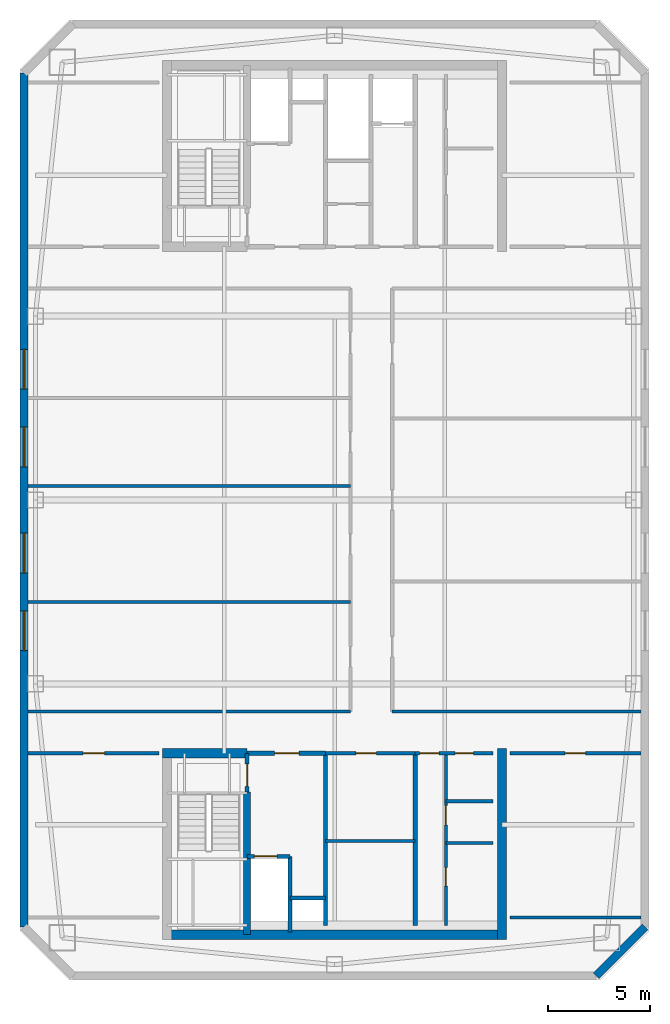
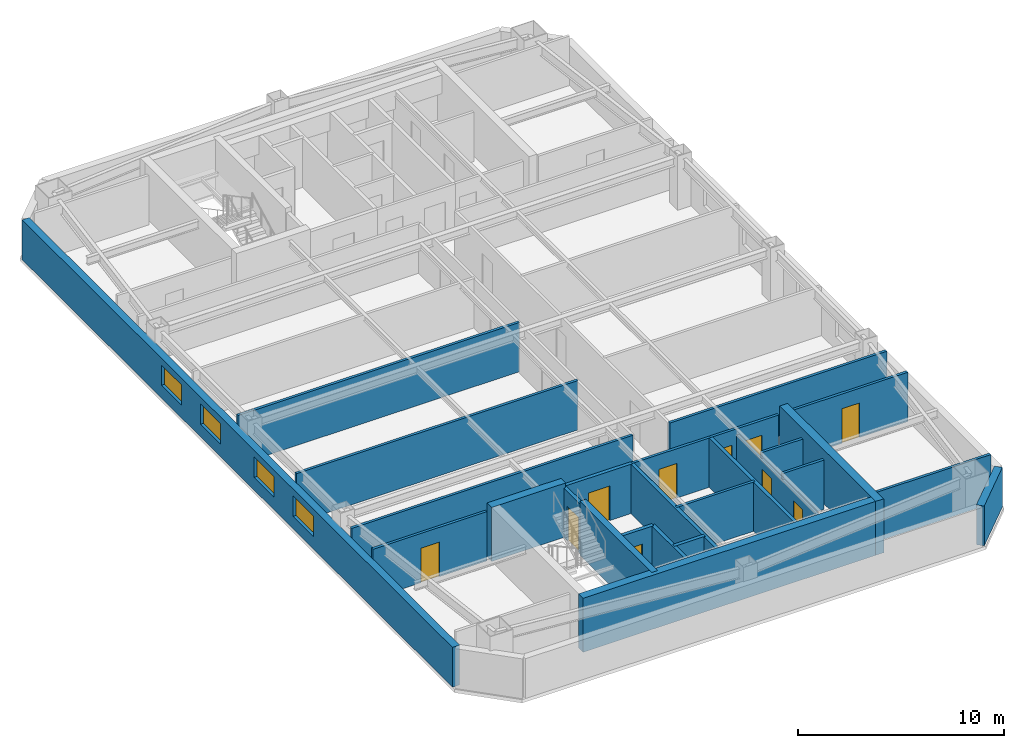
# One storey, part 2 of 5: 26 walls, 10 doors, 4 windows, 14 openings.
"""IFC4 building model written with IfcOpenShell, lengths in metres."""

from ifc_helpers import new_model, si_unit, direction, frame, frame_2d, origin, place, context, subcontext, project, spatial, rectangle, extrude, material, layer, layer_set, type_object, element, fill, save


model = new_model("IFC4")

# Units and contexts
model_context = context("Model", 3, precision=1e-05, world=origin(), true_north=direction((0.0, 1.0)))
body_context = subcontext(model_context, "Body", "Model", "MODEL_VIEW")
ifc_project = project(units=[si_unit("LENGTHUNIT", "METRE"), si_unit("AREAUNIT", "SQUARE_METRE"), si_unit("VOLUMEUNIT", "CUBIC_METRE"), si_unit("PLANEANGLEUNIT", "RADIAN"), si_unit("MASSUNIT", "GRAM", prefix="KILO")], contexts=[model_context])

# Site, building, storey
site_placement = place(None, origin())
site = spatial("IfcSite", under=ifc_project, at=site_placement, CompositionType="ELEMENT")
building_placement = place(site_placement, origin())
building = spatial("IfcBuilding", under=site, at=building_placement, Name="Qiaolan Cultural Towers", CompositionType="ELEMENT")
storey_placement = place(building_placement, frame((0.0, 0.0, 253.60009765625)))
storey = spatial("IfcBuildingStorey", under=building, at=storey_placement, Name="L69", CompositionType="ELEMENT", Elevation=253.60009765625)

# Walls
ifc_material_1 = material(Name="Concrete C50", Category="concrete")
ifc_layer_1 = layer(ifc_material_1, 0.35009765625)
ifc_layer_set_1 = layer_set([ifc_layer_1], Name="Concrete C50")
wall_type_1 = type_object("IfcWallType", Name="WL-CORE-350", PredefinedType="SHEAR", material=ifc_layer_set_1)
wall_1_placement = place(storey_placement, frame((25.719970703125, 19.699951171875, 0.0), z_axis=(0.0, 0.0, 1.0), x_axis=(0.0, -1.0, 0.0)))
element("IfcWall", 1, at=wall_1_placement, inside=storey, type_object=wall_type_1, Name="L69 T1-CS Stair Core Dividing Web", PredefinedType="SHEAR", context=body_context, shape_type="SweptSolid", body=[
    extrude(rectangle(XDim=6.97998046875, YDim=0.35009765625, at=frame_2d((3.489990234375, 0.0))), origin(), (0.0, 0.0, 1.0), 3.199951171875),
])
ifc_material_2 = material(Name="Concrete C50", Category="concrete")
ifc_layer_2 = layer(ifc_material_2, 0.449951171875)
ifc_layer_set_2 = layer_set([ifc_layer_2], Name="Concrete C50")
wall_type_2 = type_object("IfcWallType", Name="WL-CORE-450", PredefinedType="SHEAR", material=ifc_layer_set_2)
wall_2_placement = place(storey_placement, frame((21.574951171875, 12.719970703125, 0.0), z_axis=(0.0, 0.0, 1.0), x_axis=(1.0, 0.0, 0.0)))
element("IfcWall", 2, at=wall_2_placement, inside=storey, type_object=wall_type_2, Name="L69 T1-CS Outer Core Shear Wall", PredefinedType="SHEAR", context=body_context, shape_type="SweptSolid", body=[
    extrude(rectangle(XDim=16.85009765625, YDim=0.449951171875, at=frame_2d((8.425048828125, 0.0))), origin(), (0.0, 0.0, 1.0), 3.199951171875),
])
wall_3_placement = place(storey_placement, frame((38.199951171875, 21.824951171875, 0.0), z_axis=(0.0, 0.0, 1.0), x_axis=(0.0, -1.0, 0.0)))
element("IfcWall", 3, at=wall_3_placement, inside=storey, type_object=wall_type_2, Name="L69 T1-CS East Core Shear Wall", PredefinedType="SHEAR", context=body_context, shape_type="SweptSolid", body=[
    extrude(rectangle(XDim=9.329833984375, YDim=0.449951171875, at=frame_2d((4.6650390625, 0.0))), origin(), (0.0, 0.0, 1.0), 3.199951171875),
])
wall_4_placement = place(storey_placement, frame((21.574951171875, 21.60009765625, 0.0), z_axis=(0.0, 0.0, 1.0), x_axis=(1.0, 0.0, 0.0)))
element("IfcWall", 4, at=wall_4_placement, inside=storey, type_object=wall_type_2, Name="L69 T1-CS Stair Front Shear Wall", PredefinedType="SHEAR", context=body_context, shape_type="SweptSolid", body=[
    extrude(rectangle(XDim=4.14501953125, YDim=0.449951171875, at=frame_2d((2.072509765625, 0.0))), origin(), (0.0, 0.0, 1.0), 3.199951171875),
])

# Wall, openings, windows
ifc_material_3 = material(Name="Precast Concrete C50 Honed Stone Pier", Category="masonry")
ifc_layer_3 = layer(ifc_material_3, 0.39990234375)
ifc_layer_set_3 = layer_set([ifc_layer_3], Name="Precast Concrete C50 Honed Stone Pier")
wall_type_3 = type_object("IfcWallType", Name="WL-EXT-PIER-400", PredefinedType="SOLIDWALL", material=ifc_layer_set_3)
wall_5_placement = place(storey_placement, frame((14.800048828125, 13.10009765625, 0.0), z_axis=(0.0, 0.0, 1.0), x_axis=(0.0, 1.0, 0.0)))
wall_5 = element("IfcWall", 5, at=wall_5_placement, inside=storey, type_object=wall_type_3, Name="L69 West Tower Precast Pier Facade Wall F1", PredefinedType="SOLIDWALL", context=body_context, shape_type="SweptSolid", body=[
    extrude(rectangle(XDim=41.7998046875, YDim=0.39990234375, at=frame_2d((20.89990234375, 0.0))), origin(), (0.0, 0.0, 1.0), 2.35986328125),
])
opening_1_placement = place(wall_5_placement, frame((13.52490234375, 0.0, 0.75)))
opening_1 = element("IfcOpeningElement", 6, at=opening_1_placement, cuts=wall_5, Name="Opening W-06", PredefinedType="OPENING", context=body_context, shape_type="SweptSolid", body=[
    extrude(rectangle(XDim=1.949951171875, YDim=1.2099609375, at=frame_2d((0.97509765625, 0.60498046875))), frame((0.0, 0.2099609375, 0.0), z_axis=(0.0, -1.0, 0.0), x_axis=(1.0, 0.0, 0.0)), (0.0, 0.0, 1.0), 0.419921875),
])
opening_2_placement = place(wall_5_placement, frame((17.324951171875, 0.0, 0.75)))
opening_2 = element("IfcOpeningElement", 7, at=opening_2_placement, cuts=wall_5, Name="Opening W-06", PredefinedType="OPENING", context=body_context, shape_type="SweptSolid", body=[
    extrude(rectangle(XDim=1.949951171875, YDim=1.2099609375, at=frame_2d((0.97509765625, 0.60498046875))), frame((0.0, 0.2099609375, 0.0), z_axis=(0.0, -1.0, 0.0), x_axis=(1.0, 0.0, 0.0)), (0.0, 0.0, 1.0), 0.419921875),
])
opening_3_placement = place(wall_5_placement, frame((22.52490234375, 0.0, 0.75)))
opening_3 = element("IfcOpeningElement", 8, at=opening_3_placement, cuts=wall_5, Name="Opening W-06", PredefinedType="OPENING", context=body_context, shape_type="SweptSolid", body=[
    extrude(rectangle(XDim=1.949951171875, YDim=1.2099609375, at=frame_2d((0.97509765625, 0.60498046875))), frame((0.0, 0.2099609375, 0.0), z_axis=(0.0, -1.0, 0.0), x_axis=(1.0, 0.0, 0.0)), (0.0, 0.0, 1.0), 0.419921875),
])
opening_4_placement = place(wall_5_placement, frame((26.324951171875, 0.0, 0.75)))
opening_4 = element("IfcOpeningElement", 9, at=opening_4_placement, cuts=wall_5, Name="Opening W-06", PredefinedType="OPENING", context=body_context, shape_type="SweptSolid", body=[
    extrude(rectangle(XDim=1.949951171875, YDim=1.2099609375, at=frame_2d((0.97509765625, 0.60498046875))), frame((0.0, 0.2099609375, 0.0), z_axis=(0.0, -1.0, 0.0), x_axis=(1.0, 0.0, 0.0)), (0.0, 0.0, 1.0), 0.419921875),
])
ifc_material_4 = material(Name="Thermally Broken Aluminium Triple Low-E Glazing", Category="aluminium")
window_type = type_object("IfcWindowType", Name="WN-CHIC-1950", PartitioningType="SINGLE_PANEL", PredefinedType="WINDOW", material=ifc_material_4)
window_1_placement = place(opening_1_placement, origin())
window_1 = element("IfcWindow", 10, at=window_1_placement, inside=storey, type_object=window_type, Name="L69 T1 W Chicago Bay Window 1", OverallHeight=1.2099609375, OverallWidth=1.949951171875, PartitioningType="TRIPLE_PANEL_VERTICAL", PredefinedType="WINDOW", context=body_context, shape_type="SweptSolid", body=[
    extrude(rectangle(XDim=1.949951171875, YDim=1.2099609375, at=frame_2d((0.97509765625, 0.60498046875))), frame((0.0, 0.030029296875, 0.0), z_axis=(0.0, -1.0, 0.0), x_axis=(1.0, 0.0, 0.0)), (0.0, 0.0, 1.0), 0.06005859375),
])
fill(opening_1, window_1)
window_2_placement = place(opening_2_placement, origin())
window_2 = element("IfcWindow", 11, at=window_2_placement, inside=storey, type_object=window_type, Name="L69 T1 W Chicago Bay Window 2", OverallHeight=1.2099609375, OverallWidth=1.949951171875, PartitioningType="TRIPLE_PANEL_VERTICAL", PredefinedType="WINDOW", context=body_context, shape_type="SweptSolid", body=[
    extrude(rectangle(XDim=1.949951171875, YDim=1.2099609375, at=frame_2d((0.97509765625, 0.60498046875))), frame((0.0, 0.030029296875, 0.0), z_axis=(0.0, -1.0, 0.0), x_axis=(1.0, 0.0, 0.0)), (0.0, 0.0, 1.0), 0.06005859375),
])
fill(opening_2, window_2)
window_3_placement = place(opening_3_placement, origin())
window_3 = element("IfcWindow", 12, at=window_3_placement, inside=storey, type_object=window_type, Name="L69 T1 W Chicago Bay Window 3", OverallHeight=1.2099609375, OverallWidth=1.949951171875, PartitioningType="TRIPLE_PANEL_VERTICAL", PredefinedType="WINDOW", context=body_context, shape_type="SweptSolid", body=[
    extrude(rectangle(XDim=1.949951171875, YDim=1.2099609375, at=frame_2d((0.97509765625, 0.60498046875))), frame((0.0, 0.030029296875, 0.0), z_axis=(0.0, -1.0, 0.0), x_axis=(1.0, 0.0, 0.0)), (0.0, 0.0, 1.0), 0.06005859375),
])
fill(opening_3, window_3)
window_4_placement = place(opening_4_placement, origin())
window_4 = element("IfcWindow", 13, at=window_4_placement, inside=storey, type_object=window_type, Name="L69 T1 W Chicago Bay Window 4", OverallHeight=1.2099609375, OverallWidth=1.949951171875, PartitioningType="TRIPLE_PANEL_VERTICAL", PredefinedType="WINDOW", context=body_context, shape_type="SweptSolid", body=[
    extrude(rectangle(XDim=1.949951171875, YDim=1.2099609375, at=frame_2d((0.97509765625, 0.60498046875))), frame((0.0, 0.030029296875, 0.0), z_axis=(0.0, -1.0, 0.0), x_axis=(1.0, 0.0, 0.0)), (0.0, 0.0, 1.0), 0.06005859375),
])
fill(opening_4, window_4)

# Wall
wall_6_placement = place(storey_placement, frame((45.199951171875, 13.10009765625, 0.0), z_axis=(0.0, 0.0, 1.0), x_axis=(-0.707070815327, -0.707142745217, 0.0)))
element("IfcWall", 14, at=wall_6_placement, inside=storey, type_object=wall_type_3, Name="L69 West Tower Precast Pier Facade Wall F6", PredefinedType="SOLIDWALL", context=body_context, shape_type="SweptSolid", body=[
    extrude(rectangle(XDim=3.39404296875, YDim=0.39990234375, at=frame_2d((1.697021484375, 0.0))), origin(), (0.0, 0.0, 1.0), 2.35986328125),
])

# Wall, opening, door
ifc_material_5 = material(Name="Concrete C35 Fire Wall", Category="concrete")
ifc_layer_4 = layer(ifc_material_5, 0.199951171875)
ifc_layer_set_4 = layer_set([ifc_layer_4], Name="Concrete C35 Fire Wall")
wall_type_4 = type_object("IfcWallType", Name="WL-FIRE-200", PredefinedType="PARTITIONING", material=ifc_layer_set_4)
wall_7_placement = place(storey_placement, frame((25.719970703125, 21.60009765625, 0.0), z_axis=(0.0, 0.0, 1.0), x_axis=(0.0, -1.0, 0.0)))
wall_7 = element("IfcWall", 15, at=wall_7_placement, inside=storey, type_object=wall_type_4, Name="L69 T1-CS Smokeproof Stair Entry Wall", PredefinedType="PARTITIONING", context=body_context, shape_type="SweptSolid", body=[
    extrude(rectangle(XDim=1.900146484375, YDim=0.199951171875, at=frame_2d((0.9501953125, 0.0))), origin(), (0.0, 0.0, 1.0), 2.9248046875),
])
opening_5_placement = place(wall_7_placement, frame((0.52001953125, 0.0, 0.0)))
opening_5 = element("IfcOpeningElement", 16, at=opening_5_placement, cuts=wall_7, Name="Opening FD-04", PredefinedType="OPENING", context=body_context, shape_type="SweptSolid", body=[
    extrude(rectangle(XDim=1.10009765625, YDim=2.050048828125, at=frame_2d((0.550048828125, 1.02490234375))), frame((0.0, 0.10986328125, 0.0), z_axis=(0.0, -1.0, 0.0), x_axis=(1.0, 0.0, 0.0)), (0.0, 0.0, 1.0), 0.219970703125),
])
ifc_material_6 = material(Name="Galvanized Steel Command Fire Door", Category="steel")
door_type_1 = type_object("IfcDoorType", Name="DR-FD90-1100", OperationType="NOTDEFINED", PredefinedType="DOOR", material=ifc_material_6)
door_1_placement = place(opening_5_placement, origin())
door_1 = element("IfcDoor", 17, at=door_1_placement, inside=storey, type_object=door_type_1, Name="L69 ST-W1 Smokeproof Stair Fire Door", OperationType="SINGLE_SWING_LEFT", OverallHeight=2.050048828125, OverallWidth=1.10009765625, PredefinedType="DOOR", context=body_context, shape_type="SweptSolid", body=[
    extrude(rectangle(XDim=1.10009765625, YDim=2.050048828125, at=frame_2d((0.550048828125, 1.02490234375))), frame((0.0, 0.02490234375, 0.0), z_axis=(0.0, -1.0, 0.0), x_axis=(1.0, 0.0, 0.0)), (0.0, 0.0, 1.0), 0.050048828125),
])
fill(opening_5, door_1)

# Wall
wall_8_placement = place(storey_placement, frame((29.550048828125, 21.60009765625, 0.0), z_axis=(0.0, 0.0, 1.0), x_axis=(0.0, -1.0, 0.0)))
element("IfcWall", 18, at=wall_8_placement, inside=storey, type_object=wall_type_4, Name="L69 T1-CS Firefighting Zone Wall", PredefinedType="PARTITIONING", context=body_context, shape_type="SweptSolid", body=[
    extrude(rectangle(XDim=8.43017578125, YDim=0.199951171875, at=frame_2d((4.215087890625, 0.0))), origin(), (0.0, 0.0, 1.0), 2.9248046875),
])

# Wall, opening, door
wall_9_placement = place(storey_placement, frame((25.719970703125, 21.60009765625, 0.0), z_axis=(0.0, 0.0, 1.0), x_axis=(1.0, 0.0, 0.0)))
wall_9 = element("IfcWall", 19, at=wall_9_placement, inside=storey, type_object=wall_type_4, Name="L69 T1-CS Firefighting Lobby Front Wall", PredefinedType="PARTITIONING", context=body_context, shape_type="SweptSolid", body=[
    extrude(rectangle(XDim=3.830078125, YDim=0.199951171875, at=frame_2d((1.9150390625, 0.0))), origin(), (0.0, 0.0, 1.0), 2.9248046875),
])
opening_6_placement = place(wall_9_placement, frame((1.35009765625, 0.0, 0.0)))
opening_6 = element("IfcOpeningElement", 20, at=opening_6_placement, cuts=wall_9, Name="Opening FD-03", PredefinedType="OPENING", context=body_context, shape_type="SweptSolid", body=[
    extrude(rectangle(XDim=1.199951171875, YDim=2.050048828125, at=frame_2d((0.60009765625, 1.02490234375))), frame((0.0, 0.10986328125, 0.0), z_axis=(0.0, -1.0, 0.0), x_axis=(1.0, 0.0, 0.0)), (0.0, 0.0, 1.0), 0.219970703125),
])
ifc_material_7 = material(Name="Galvanized Steel Smokeproof Lobby Fire Door", Category="steel")
door_type_2 = type_object("IfcDoorType", Name="DR-FD90-1200", OperationType="NOTDEFINED", PredefinedType="DOOR", material=ifc_material_7)
door_2_placement = place(opening_6_placement, origin())
door_2 = element("IfcDoor", 21, at=door_2_placement, inside=storey, type_object=door_type_2, Name="L69 FFL-W1 Firefighting Lobby Fire Door", OperationType="SINGLE_SWING_LEFT", OverallHeight=2.050048828125, OverallWidth=1.199951171875, PredefinedType="DOOR", context=body_context, shape_type="SweptSolid", body=[
    extrude(rectangle(XDim=1.199951171875, YDim=2.050048828125, at=frame_2d((0.60009765625, 1.02490234375))), frame((0.0, 0.02490234375, 0.0), z_axis=(0.0, -1.0, 0.0), x_axis=(1.0, 0.0, 0.0)), (0.0, 0.0, 1.0), 0.050048828125),
])
fill(opening_6, door_2)

wall_10_placement = place(storey_placement, frame((25.719970703125, 16.550048828125, 0.0), z_axis=(0.0, 0.0, 1.0), x_axis=(1.0, 0.0, 0.0)))
wall_10 = element("IfcWall", 22, at=wall_10_placement, inside=storey, type_object=wall_type_4, Name="L69 T1-CS Firefighting Shaft Front Wall", PredefinedType="PARTITIONING", context=body_context, shape_type="SweptSolid", body=[
    extrude(rectangle(XDim=2.10009765625, YDim=0.199951171875, at=frame_2d((1.050048828125, 0.0))), origin(), (0.0, 0.0, 1.0), 2.9248046875),
])
opening_7_placement = place(wall_10_placement, frame((0.35009765625, 0.0, 0.0)))
opening_7 = element("IfcOpeningElement", 23, at=opening_7_placement, cuts=wall_10, Name="Opening LD-01", PredefinedType="OPENING", context=body_context, shape_type="SweptSolid", body=[
    extrude(rectangle(XDim=1.10009765625, YDim=2.050048828125, at=frame_2d((0.550048828125, 1.02490234375))), frame((0.0, 0.10986328125, 0.0), z_axis=(0.0, -1.0, 0.0), x_axis=(1.0, 0.0, 0.0)), (0.0, 0.0, 1.0), 0.219970703125),
])
ifc_material_8 = material(Name="Brushed Stainless Steel S30408 Centre-Parting Lift Landing Door", Category="steel")
door_type_3 = type_object("IfcDoorType", Name="DR-LIFT-1100", OperationType="NOTDEFINED", PredefinedType="DOOR", material=ifc_material_8)
door_3_placement = place(opening_7_placement, origin())
door_3 = element("IfcDoor", 24, at=door_3_placement, inside=storey, type_object=door_type_3, Name="L69 FFL-W1 Firefighting Lift Landing Door", OperationType="DOUBLE_DOOR_SLIDING", OverallHeight=2.050048828125, OverallWidth=1.10009765625, PredefinedType="DOOR", context=body_context, shape_type="SweptSolid", body=[
    extrude(rectangle(XDim=1.10009765625, YDim=2.050048828125, at=frame_2d((0.550048828125, 1.02490234375))), frame((0.0, 0.02490234375, 0.0), z_axis=(0.0, -1.0, 0.0), x_axis=(1.0, 0.0, 0.0)), (0.0, 0.0, 1.0), 0.050048828125),
])
fill(opening_7, door_3)

# Walls
wall_11_placement = place(storey_placement, frame((27.820068359375, 16.550048828125, 0.0), z_axis=(0.0, 0.0, 1.0), x_axis=(0.0, -1.0, 0.0)))
element("IfcWall", 25, at=wall_11_placement, inside=storey, type_object=wall_type_4, Name="L69 T1-CS Firefighting Hoistway East Wall", PredefinedType="PARTITIONING", context=body_context, shape_type="SweptSolid", body=[
    extrude(rectangle(XDim=3.699951171875, YDim=0.199951171875, at=frame_2d((1.85009765625, 0.0))), origin(), (0.0, 0.0, 1.0), 2.9248046875),
])
wall_12_placement = place(storey_placement, frame((27.820068359375, 14.52001953125, 0.0), z_axis=(0.0, 0.0, 1.0), x_axis=(1.0, 0.0, 0.0)))
element("IfcWall", 26, at=wall_12_placement, inside=storey, type_object=wall_type_4, Name="L69 T1-CS Pressurization Shaft Front Wall", PredefinedType="PARTITIONING", context=body_context, shape_type="SweptSolid", body=[
    extrude(rectangle(XDim=1.72998046875, YDim=0.199951171875, at=frame_2d((0.864990234375, 0.0))), origin(), (0.0, 0.0, 1.0), 2.9248046875),
])
wall_13_placement = place(storey_placement, frame((33.949951171875, 21.60009765625, 0.0), z_axis=(0.0, 0.0, 1.0), x_axis=(0.0, -1.0, 0.0)))
element("IfcWall", 27, at=wall_13_placement, inside=storey, type_object=wall_type_4, Name="L69 T1-CS Lift Core East Wall", PredefinedType="PARTITIONING", context=body_context, shape_type="SweptSolid", body=[
    extrude(rectangle(XDim=8.43017578125, YDim=0.199951171875, at=frame_2d((4.215087890625, 0.0))), origin(), (0.0, 0.0, 1.0), 2.9248046875),
])

# Wall, opening, door
ifc_material_9 = material(Name="Autoclaved Aerated Concrete Block B06", Category="concrete")
ifc_layer_5 = layer(ifc_material_9, 0.14990234375)
ifc_layer_set_5 = layer_set([ifc_layer_5], Name="Autoclaved Aerated Concrete Block B06")
wall_type_5 = type_object("IfcWallType", Name="WL-PART-150", PredefinedType="PARTITIONING", material=ifc_layer_set_5)
wall_14_placement = place(storey_placement, frame((29.550048828125, 21.60009765625, 0.0), z_axis=(0.0, 0.0, 1.0), x_axis=(1.0, 0.0, 0.0)))
wall_14 = element("IfcWall", 28, at=wall_14_placement, inside=storey, type_object=wall_type_5, Name="L69 T1-CS Reclaimed Core Room Front Wall", PredefinedType="PARTITIONING", context=body_context, shape_type="SweptSolid", body=[
    extrude(rectangle(XDim=4.39990234375, YDim=0.14990234375, at=frame_2d((2.199951171875, 0.0))), origin(), (0.0, 0.0, 1.0), 2.9248046875),
])
opening_8_placement = place(wall_14_placement, frame((1.5, 0.0, 0.0)))
opening_8 = element("IfcOpeningElement", 29, at=opening_8_placement, cuts=wall_14, Name="Opening ID-04", PredefinedType="OPENING", context=body_context, shape_type="SweptSolid", body=[
    extrude(rectangle(XDim=1.0, YDim=2.050048828125, at=frame_2d((0.5, 1.02490234375))), frame((0.0, 0.0849609375, 0.0), z_axis=(0.0, -1.0, 0.0), x_axis=(1.0, 0.0, 0.0)), (0.0, 0.0, 1.0), 0.169921875),
])
ifc_material_10 = material(Name="Oak Veneer Acoustic Office Door", Category="timber")
door_type_4 = type_object("IfcDoorType", Name="DR-INT-1000", OperationType="NOTDEFINED", PredefinedType="DOOR", material=ifc_material_10)
door_4_placement = place(opening_8_placement, origin())
door_4 = element("IfcDoor", 30, at=door_4_placement, inside=storey, type_object=door_type_4, Name="L69 Focus Pod Room Door", OperationType="SINGLE_SWING_LEFT", OverallHeight=2.050048828125, OverallWidth=1.0, PredefinedType="DOOR", context=body_context, shape_type="SweptSolid", body=[
    extrude(rectangle(XDim=1.0, YDim=2.050048828125, at=frame_2d((0.5, 1.02490234375))), frame((0.0, 0.02490234375, 0.0), z_axis=(0.0, -1.0, 0.0), x_axis=(1.0, 0.0, 0.0)), (0.0, 0.0, 1.0), 0.050048828125),
])
fill(opening_8, door_4)

# Wall
wall_15_placement = place(storey_placement, frame((29.550048828125, 17.300048828125, 0.0), z_axis=(0.0, 0.0, 1.0), x_axis=(1.0, 0.0, 0.0)))
element("IfcWall", 31, at=wall_15_placement, inside=storey, type_object=wall_type_5, Name="L69 T1-CS Reclaimed Room Subdivider", PredefinedType="PARTITIONING", context=body_context, shape_type="SweptSolid", body=[
    extrude(rectangle(XDim=4.39990234375, YDim=0.14990234375, at=frame_2d((2.199951171875, 0.0))), origin(), (0.0, 0.0, 1.0), 2.9248046875),
])

# Wall, openings, doors
wall_16_placement = place(storey_placement, frame((33.949951171875, 21.60009765625, 0.0), z_axis=(0.0, 0.0, 1.0), x_axis=(1.0, 0.0, 0.0)))
wall_16 = element("IfcWall", 32, at=wall_16_placement, inside=storey, type_object=wall_type_5, Name="L69 T1-CS Sanitary Core Front Wall", PredefinedType="PARTITIONING", context=body_context, shape_type="SweptSolid", body=[
    extrude(rectangle(XDim=3.800048828125, YDim=0.14990234375, at=frame_2d((1.89990234375, 0.0))), origin(), (0.0, 0.0, 1.0), 2.9248046875),
])
opening_9_placement = place(wall_16_placement, frame((0.219970703125, 0.0, 0.0)))
opening_9 = element("IfcOpeningElement", 33, at=opening_9_placement, cuts=wall_16, Name="Opening ID-05", PredefinedType="OPENING", context=body_context, shape_type="SweptSolid", body=[
    extrude(rectangle(XDim=0.949951171875, YDim=2.050048828125, at=frame_2d((0.47509765625, 1.02490234375))), frame((0.0, 0.0849609375, 0.0), z_axis=(0.0, -1.0, 0.0), x_axis=(1.0, 0.0, 0.0)), (0.0, 0.0, 1.0), 0.169921875),
])
opening_10_placement = place(wall_16_placement, frame((1.949951171875, 0.0, 0.0)))
opening_10 = element("IfcOpeningElement", 34, at=opening_10_placement, cuts=wall_16, Name="Opening ID-06", PredefinedType="OPENING", context=body_context, shape_type="SweptSolid", body=[
    extrude(rectangle(XDim=0.89990234375, YDim=2.050048828125, at=frame_2d((0.449951171875, 1.02490234375))), frame((0.0, 0.0849609375, 0.0), z_axis=(0.0, -1.0, 0.0), x_axis=(1.0, 0.0, 0.0)), (0.0, 0.0, 1.0), 0.169921875),
])
ifc_material_11 = material(Name="Fire-Rated Laminate Core Service Door", Category="timber")
door_type_5 = type_object("IfcDoorType", Name="DR-INT-900", OperationType="NOTDEFINED", PredefinedType="DOOR", material=ifc_material_11)
door_5_placement = place(opening_10_placement, origin())
door_5 = element("IfcDoor", 35, at=door_5_placement, inside=storey, type_object=door_type_5, Name="L69 Core Tea Pantry Door", OperationType="SINGLE_SWING_RIGHT", OverallHeight=2.050048828125, OverallWidth=0.89990234375, PredefinedType="DOOR", context=body_context, shape_type="SweptSolid", body=[
    extrude(rectangle(XDim=0.89990234375, YDim=2.050048828125, at=frame_2d((0.449951171875, 1.02490234375))), frame((0.0, 0.02490234375, 0.0), z_axis=(0.0, -1.0, 0.0), x_axis=(1.0, 0.0, 0.0)), (0.0, 0.0, 1.0), 0.050048828125),
])
fill(opening_10, door_5)
ifc_material_12 = material(Name="Fire-Rated Laminate Accessible Core Door", Category="timber")
door_type_6 = type_object("IfcDoorType", Name="DR-INT-950", OperationType="NOTDEFINED", PredefinedType="DOOR", material=ifc_material_12)
door_6_placement = place(opening_9_placement, origin())
door_6 = element("IfcDoor", 36, at=door_6_placement, inside=storey, type_object=door_type_6, Name="L69 Sanitary Passage Door", OperationType="SINGLE_SWING_LEFT", OverallHeight=2.050048828125, OverallWidth=0.949951171875, PredefinedType="DOOR", context=body_context, shape_type="SweptSolid", body=[
    extrude(rectangle(XDim=0.949951171875, YDim=2.050048828125, at=frame_2d((0.47509765625, 1.02490234375))), frame((0.0, 0.02490234375, 0.0), z_axis=(0.0, -1.0, 0.0), x_axis=(1.0, 0.0, 0.0)), (0.0, 0.0, 1.0), 0.050048828125),
])
fill(opening_9, door_6)

wall_17_placement = place(storey_placement, frame((35.449951171875, 21.60009765625, 0.0), z_axis=(0.0, 0.0, 1.0), x_axis=(0.0, -1.0, 0.0)))
wall_17 = element("IfcWall", 37, at=wall_17_placement, inside=storey, type_object=wall_type_5, Name="L69 T1-CS Sanitary Corridor Wall", PredefinedType="PARTITIONING", context=body_context, shape_type="SweptSolid", body=[
    extrude(rectangle(XDim=8.43017578125, YDim=0.14990234375, at=frame_2d((4.215087890625, 0.0))), origin(), (0.0, 0.0, 1.0), 2.56494140625),
])
opening_11_placement = place(wall_17_placement, frame((2.550048828125, 0.0, 0.0)))
opening_11 = element("IfcOpeningElement", 38, at=opening_11_placement, cuts=wall_17, Name="Opening ID-05", PredefinedType="OPENING", context=body_context, shape_type="SweptSolid", body=[
    extrude(rectangle(XDim=0.949951171875, YDim=2.050048828125, at=frame_2d((0.47509765625, 1.02490234375))), frame((0.0, 0.0849609375, 0.0), z_axis=(0.0, -1.0, 0.0), x_axis=(1.0, 0.0, 0.0)), (0.0, 0.0, 1.0), 0.169921875),
])
opening_12_placement = place(wall_17_placement, frame((5.60009765625, 0.0, 0.0)))
opening_12 = element("IfcOpeningElement", 39, at=opening_12_placement, cuts=wall_17, Name="Opening ID-06", PredefinedType="OPENING", context=body_context, shape_type="SweptSolid", body=[
    extrude(rectangle(XDim=0.89990234375, YDim=2.050048828125, at=frame_2d((0.449951171875, 1.02490234375))), frame((0.0, 0.0849609375, 0.0), z_axis=(0.0, -1.0, 0.0), x_axis=(1.0, 0.0, 0.0)), (0.0, 0.0, 1.0), 0.169921875),
])
door_7_placement = place(opening_12_placement, origin())
door_7 = element("IfcDoor", 40, at=door_7_placement, inside=storey, type_object=door_type_5, Name="L69 Staff Restroom Door", OperationType="SINGLE_SWING_RIGHT", OverallHeight=2.050048828125, OverallWidth=0.89990234375, PredefinedType="DOOR", context=body_context, shape_type="SweptSolid", body=[
    extrude(rectangle(XDim=0.89990234375, YDim=2.050048828125, at=frame_2d((0.449951171875, 1.02490234375))), frame((0.0, 0.02490234375, 0.0), z_axis=(0.0, -1.0, 0.0), x_axis=(1.0, 0.0, 0.0)), (0.0, 0.0, 1.0), 0.050048828125),
])
fill(opening_12, door_7)
door_8_placement = place(opening_11_placement, origin())
door_8 = element("IfcDoor", 41, at=door_8_placement, inside=storey, type_object=door_type_6, Name="L69 Accessible Washroom Door", OperationType="SINGLE_SWING_LEFT", OverallHeight=2.050048828125, OverallWidth=0.949951171875, PredefinedType="DOOR", context=body_context, shape_type="SweptSolid", body=[
    extrude(rectangle(XDim=0.949951171875, YDim=2.050048828125, at=frame_2d((0.47509765625, 1.02490234375))), frame((0.0, 0.02490234375, 0.0), z_axis=(0.0, -1.0, 0.0), x_axis=(1.0, 0.0, 0.0)), (0.0, 0.0, 1.0), 0.050048828125),
])
fill(opening_11, door_8)

# Walls
for number, where, z_axis, x_axis, name in (
    (42, (35.449951171875, 17.199951171875, 0.0), (0.0, 0.0, 1.0), (1.0, 0.0, 0.0), "L69 T1-CS Restroom Split Wall"),
    (43, (35.449951171875, 19.25, 0.0), (0.0, 0.0, 1.0), (1.0, 0.0, 0.0), "L69 T1-CS Core Pantry Wall"),
):
    element("IfcWall", number, at=place(storey_placement, frame(where, z_axis=z_axis, x_axis=x_axis)), inside=storey, type_object=wall_type_5, Name=name, PredefinedType="PARTITIONING", context=body_context, shape_type="SweptSolid", body=[
        extrude(rectangle(XDim=2.300048828125, YDim=0.14990234375, at=frame_2d((1.14990234375, 0.0))), origin(), (0.0, 0.0, 1.0), 2.9248046875),
    ])

# Wall, opening, door
wall_18_placement = place(storey_placement, frame((15.0, 21.60009765625, 0.0), z_axis=(0.0, 0.0, 1.0), x_axis=(1.0, 0.0, 0.0)))
wall_18 = element("IfcWall", 44, at=wall_18_placement, inside=storey, type_object=wall_type_5, Name="L69 T1 Flank Front FLK-SW", PredefinedType="PARTITIONING", context=body_context, shape_type="SweptSolid", body=[
    extrude(rectangle(XDim=6.39990234375, YDim=0.14990234375, at=frame_2d((3.199951171875, 0.0))), origin(), (0.0, 0.0, 1.0), 2.9248046875),
])
opening_13_placement = place(wall_18_placement, frame((2.68798828125, 0.0, 0.0)))
opening_13 = element("IfcOpeningElement", 45, at=opening_13_placement, cuts=wall_18, Name="Opening ID-07", PredefinedType="OPENING", context=body_context, shape_type="SweptSolid", body=[
    extrude(rectangle(XDim=1.050048828125, YDim=2.050048828125, at=frame_2d((0.52490234375, 1.02490234375))), frame((0.0, 0.0849609375, 0.0), z_axis=(0.0, -1.0, 0.0), x_axis=(1.0, 0.0, 0.0)), (0.0, 0.0, 1.0), 0.169921875),
])
ifc_material_13 = material(Name="Oak Veneer Consultation Door", Category="timber")
door_type_7 = type_object("IfcDoorType", Name="DR-INT-1050", OperationType="NOTDEFINED", PredefinedType="DOOR", material=ifc_material_13)
door_9_placement = place(opening_13_placement, origin())
door_9 = element("IfcDoor", 46, at=door_9_placement, inside=storey, type_object=door_type_7, Name="L69 T1 Corner Studio Door", OperationType="SINGLE_SWING_LEFT", OverallHeight=2.050048828125, OverallWidth=1.050048828125, PredefinedType="DOOR", context=body_context, shape_type="SweptSolid", body=[
    extrude(rectangle(XDim=1.050048828125, YDim=2.050048828125, at=frame_2d((0.52490234375, 1.02490234375))), frame((0.0, 0.02490234375, 0.0), z_axis=(0.0, -1.0, 0.0), x_axis=(1.0, 0.0, 0.0)), (0.0, 0.0, 1.0), 0.050048828125),
])
fill(opening_13, door_9)

# Wall
wall_19_placement = place(storey_placement, frame((38.60009765625, 13.550048828125, 0.0), z_axis=(0.0, 0.0, 1.0), x_axis=(1.0, 0.0, 0.0)))
element("IfcWall", 47, at=wall_19_placement, inside=storey, type_object=wall_type_5, Name="L69 T1 Flank Wall FLK-SE", PredefinedType="PARTITIONING", context=body_context, shape_type="SweptSolid", body=[
    extrude(rectangle(XDim=6.39990234375, YDim=0.14990234375, at=frame_2d((3.199951171875, 0.0))), origin(), (0.0, 0.0, 1.0), 2.9248046875),
])

# Wall, opening, door
wall_20_placement = place(storey_placement, frame((38.60009765625, 21.60009765625, 0.0), z_axis=(0.0, 0.0, 1.0), x_axis=(1.0, 0.0, 0.0)))
wall_20 = element("IfcWall", 48, at=wall_20_placement, inside=storey, type_object=wall_type_5, Name="L69 T1 Flank Front FLK-SE", PredefinedType="PARTITIONING", context=body_context, shape_type="SweptSolid", body=[
    extrude(rectangle(XDim=6.39990234375, YDim=0.14990234375, at=frame_2d((3.199951171875, 0.0))), origin(), (0.0, 0.0, 1.0), 2.9248046875),
])
opening_14_placement = place(wall_20_placement, frame((2.68798828125, 0.0, 0.0)))
opening_14 = element("IfcOpeningElement", 49, at=opening_14_placement, cuts=wall_20, Name="Opening ID-04", PredefinedType="OPENING", context=body_context, shape_type="SweptSolid", body=[
    extrude(rectangle(XDim=1.0, YDim=2.050048828125, at=frame_2d((0.5, 1.02490234375))), frame((0.0, 0.0849609375, 0.0), z_axis=(0.0, -1.0, 0.0), x_axis=(1.0, 0.0, 0.0)), (0.0, 0.0, 1.0), 0.169921875),
])
door_10_placement = place(opening_14_placement, origin())
door_10 = element("IfcDoor", 50, at=door_10_placement, inside=storey, type_object=door_type_4, Name="L69 T1 Corner Studio Door", OperationType="SINGLE_SWING_LEFT", OverallHeight=2.050048828125, OverallWidth=1.0, PredefinedType="DOOR", context=body_context, shape_type="SweptSolid", body=[
    extrude(rectangle(XDim=1.0, YDim=2.050048828125, at=frame_2d((0.5, 1.02490234375))), frame((0.0, 0.02490234375, 0.0), z_axis=(0.0, -1.0, 0.0), x_axis=(1.0, 0.0, 0.0)), (0.0, 0.0, 1.0), 0.050048828125),
])
fill(opening_14, door_10)

# Walls
wall_21_placement = place(storey_placement, frame((15.0, 23.64990234375, 0.0), z_axis=(0.0, 0.0, 1.0), x_axis=(1.0, 0.0, 0.0)))
element("IfcWall", 51, at=wall_21_placement, inside=storey, type_object=wall_type_5, Name="L69 T1 South Corridor Left Wall", PredefinedType="PARTITIONING", context=body_context, shape_type="SweptSolid", body=[
    extrude(rectangle(XDim=15.77490234375, YDim=0.14990234375, at=frame_2d((7.887451171875, 0.0))), origin(), (0.0, 0.0, 1.0), 2.9248046875),
])
wall_22_placement = place(storey_placement, frame((32.824951171875, 23.64990234375, 0.0), z_axis=(0.0, 0.0, 1.0), x_axis=(1.0, 0.0, 0.0)))
element("IfcWall", 52, at=wall_22_placement, inside=storey, type_object=wall_type_5, Name="L69 T1 South Corridor Right Wall", PredefinedType="PARTITIONING", context=body_context, shape_type="SweptSolid", body=[
    extrude(rectangle(XDim=12.175048828125, YDim=0.14990234375, at=frame_2d((6.08740234375, 0.0))), origin(), (0.0, 0.0, 1.0), 2.9248046875),
])
for number, where, z_axis, x_axis, name in (
    (53, (15.0, 29.0, 0.0), (0.0, 0.0, 1.0), (1.0, 0.0, 0.0), "L69 T1 West Partition 1"),
    (54, (15.0, 34.679931640625, 0.0), (0.0, 0.0, 1.0), (1.0, 0.0, 0.0), "L69 T1 West Partition 2"),
):
    element("IfcWall", number, at=place(storey_placement, frame(where, z_axis=z_axis, x_axis=x_axis)), inside=storey, type_object=wall_type_5, Name=name, PredefinedType="PARTITIONING", context=body_context, shape_type="SweptSolid", body=[
        extrude(rectangle(XDim=15.77490234375, YDim=0.14990234375, at=frame_2d((7.887451171875, 0.0))), origin(), (0.0, 0.0, 1.0), 2.9248046875),
    ])

save(model, "model.ifc")
